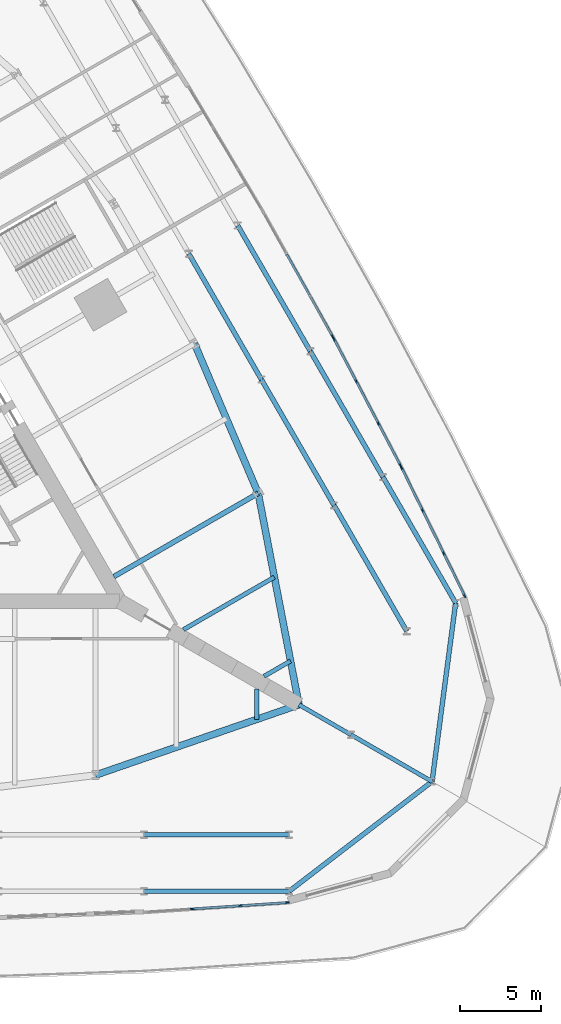
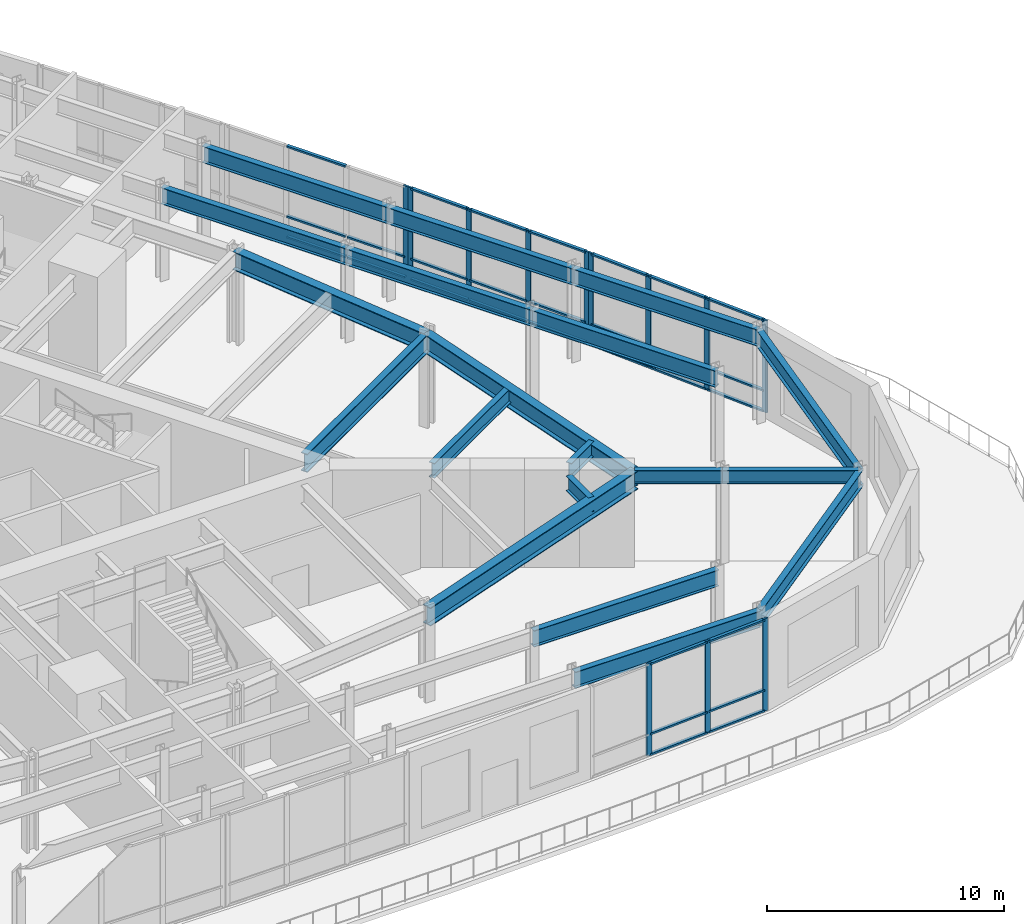
# One storey, part 7 of 20: 41 members, 19 beams, 4 elements without a shape of their own.
"""IFC4 building model written with IfcOpenShell, lengths in metres."""

from ifc_helpers import new_model, si_unit, direction, frame, origin, origin_2d, place, context, subcontext, project, spatial, rectangle, i_section, extrude, material, material_profile, profile_set, type_object, element, aggregate, save


model = new_model("IFC4")

# Units and contexts
model_context = context("Model", 3, precision=1e-05, world=origin(), true_north=direction((0.0, 1.0)))
body_context = subcontext(model_context, "Body", "Model", "MODEL_VIEW")
ifc_project = project(units=[si_unit("LENGTHUNIT", "METRE"), si_unit("AREAUNIT", "SQUARE_METRE"), si_unit("VOLUMEUNIT", "CUBIC_METRE"), si_unit("PLANEANGLEUNIT", "RADIAN"), si_unit("MASSUNIT", "GRAM", prefix="KILO")], contexts=[model_context])

# Site, building, storey
site_placement = place(None, origin())
site = spatial("IfcSite", under=ifc_project, at=site_placement, CompositionType="ELEMENT")
building_placement = place(site_placement, origin())
building = spatial("IfcBuilding", under=site, at=building_placement, Name="Trikona Tower", CompositionType="ELEMENT")
storey_placement = place(building_placement, frame((0.0, 0.0, 6.0)))
storey = spatial("IfcBuildingStorey", under=building, at=storey_placement, Name="L01", CompositionType="ELEMENT", Elevation=6.0)

# Curtain wall, members
ifc_material_1 = material(Name="Aluminium curtain wall system", Category="aluminium")
curtain_wall_type = type_object("IfcCurtainWallType", Name="Curtain wall PD", PredefinedType="NOTDEFINED", material=ifc_material_1)
curtain_wall_1_placement = place(storey_placement, origin())
curtain_wall_1 = element("IfcCurtainWall", 1, at=curtain_wall_1_placement, inside=storey, type_object=curtain_wall_type, Name="Curtain wall PD L01", PredefinedType="NOTDEFINED")
ifc_material_2 = material(Name="Aluminium mullion, pale anodised", Category="aluminium")
ifc_material_profile_1 = material_profile(ifc_material_2, rectangle(XDim=0.090087890625, YDim=0.25, at=origin_2d()), Name="MUL-PD")
ifc_profile_set_1 = profile_set([ifc_material_profile_1], Name="Aluminium mullion, pale anodised")
member_type_1 = type_object("IfcMemberType", Name="Mullion PD 90x250", PredefinedType="MULLION", material=ifc_profile_set_1)
member_1_placement = place(storey_placement, frame((21.01318359375, -28.589111328125, 0.0), z_axis=(0.0, 0.0, 1.0), x_axis=(-0.066516773278, 0.997785307004, 0.0)))
member_1 = element("IfcMember", 2, at=member_1_placement, type_object=member_type_1, Name="CW-PD mullion 2", PredefinedType="MULLION", context=body_context, shape_type="SweptSolid", body=[
    extrude(rectangle(XDim=0.090087890625, YDim=0.25, at=origin_2d()), origin(), (0.0, 0.0, 1.0), 4.75),
])
member_2_placement = place(storey_placement, frame((23.973388671875, -28.391845703125, 0.0), z_axis=(0.0, 0.0, 1.0), x_axis=(-0.066516773278, 0.997785307004, 0.0)))
member_2 = element("IfcMember", 3, at=member_2_placement, type_object=member_type_1, Name="CW-PD mullion 3", PredefinedType="MULLION", context=body_context, shape_type="SweptSolid", body=[
    extrude(rectangle(XDim=0.090087890625, YDim=0.25, at=origin_2d()), origin(), (0.0, 0.0, 1.0), 4.75),
])
member_3_placement = place(storey_placement, frame((26.888671875, -28.197509765625, 0.0), z_axis=(0.0, 0.0, 1.0), x_axis=(-0.066516773278, 0.997785307004, 0.0)))
member_3 = element("IfcMember", 4, at=member_3_placement, type_object=member_type_1, Name="CW-PD mullion 4", PredefinedType="MULLION", context=body_context, shape_type="SweptSolid", body=[
    extrude(rectangle(XDim=0.090087890625, YDim=0.25, at=origin_2d()), origin(), (0.0, 0.0, 1.0), 4.75),
])

curtain_wall_2_placement = place(storey_placement, origin())
curtain_wall_2 = element("IfcCurtainWall", 5, at=curtain_wall_2_placement, inside=storey, type_object=curtain_wall_type, Name="Curtain wall PD L01", PredefinedType="NOTDEFINED")
member_4_placement = place(storey_placement, frame((37.864013671875, -9.1875, 0.0), z_axis=(0.0, 0.0, 1.0), x_axis=(-0.897362731155, -0.44129369895, 0.0)))
member_4 = element("IfcMember", 6, at=member_4_placement, type_object=member_type_1, Name="CW-PD mullion 1", PredefinedType="MULLION", context=body_context, shape_type="SweptSolid", body=[
    extrude(rectangle(XDim=0.090087890625, YDim=0.25, at=origin_2d()), origin(), (0.0, 0.0, 1.0), 4.75),
])
member_5_placement = place(storey_placement, frame((36.57470703125, -6.565673828125, 0.0), z_axis=(0.0, 0.0, 1.0), x_axis=(-0.897362731155, -0.44129369895, 0.0)))
member_5 = element("IfcMember", 7, at=member_5_placement, type_object=member_type_1, Name="CW-PD mullion 2", PredefinedType="MULLION", context=body_context, shape_type="SweptSolid", body=[
    extrude(rectangle(XDim=0.090087890625, YDim=0.25, at=origin_2d()), origin(), (0.0, 0.0, 1.0), 4.75),
])
member_6_placement = place(storey_placement, frame((35.265380859375, -3.903564453125, 0.0), z_axis=(0.0, 0.0, 1.0), x_axis=(-0.897362731155, -0.44129369895, 0.0)))
member_6 = element("IfcMember", 8, at=member_6_placement, type_object=member_type_1, Name="CW-PD mullion 3", PredefinedType="MULLION", context=body_context, shape_type="SweptSolid", body=[
    extrude(rectangle(XDim=0.090087890625, YDim=0.25, at=origin_2d()), origin(), (0.0, 0.0, 1.0), 4.75),
])
member_7_placement = place(storey_placement, frame((33.97607421875, -1.28173828125, 0.0), z_axis=(0.0, 0.0, 1.0), x_axis=(-0.897362731155, -0.44129369895, 0.0)))
member_7 = element("IfcMember", 9, at=member_7_placement, type_object=member_type_1, Name="CW-PD mullion 4", PredefinedType="MULLION", context=body_context, shape_type="SweptSolid", body=[
    extrude(rectangle(XDim=0.090087890625, YDim=0.25, at=origin_2d()), origin(), (0.0, 0.0, 1.0), 4.75),
])

curtain_wall_3_placement = place(storey_placement, origin())
curtain_wall_3 = element("IfcCurtainWall", 10, at=curtain_wall_3_placement, inside=storey, type_object=curtain_wall_type, Name="Curtain wall PD L01", PredefinedType="NOTDEFINED")
member_8_placement = place(storey_placement, frame((33.88232421875, -1.096923828125, 0.0), z_axis=(0.0, 0.0, 1.0), x_axis=(-0.88532159647, -0.464979215476, 0.0)))
member_8 = element("IfcMember", 11, at=member_8_placement, type_object=member_type_1, Name="CW-PD mullion 1", PredefinedType="MULLION", context=body_context, shape_type="SweptSolid", body=[
    extrude(rectangle(XDim=0.090087890625, YDim=0.25, at=origin_2d()), origin(), (0.0, 0.0, 1.0), 4.75),
])
member_9_placement = place(storey_placement, frame((32.525634765625, 1.48583984375, 0.0), z_axis=(0.0, 0.0, 1.0), x_axis=(-0.88532159647, -0.464979215476, 0.0)))
member_9 = element("IfcMember", 12, at=member_9_placement, type_object=member_type_1, Name="CW-PD mullion 2", PredefinedType="MULLION", context=body_context, shape_type="SweptSolid", body=[
    extrude(rectangle(XDim=0.090087890625, YDim=0.25, at=origin_2d()), origin(), (0.0, 0.0, 1.0), 4.75),
])
member_10_placement = place(storey_placement, frame((31.148193359375, 4.108642578125, 0.0), z_axis=(0.0, 0.0, 1.0), x_axis=(-0.88532159647, -0.464979215476, 0.0)))
member_10 = element("IfcMember", 13, at=member_10_placement, type_object=member_type_1, Name="CW-PD mullion 3", PredefinedType="MULLION", context=body_context, shape_type="SweptSolid", body=[
    extrude(rectangle(XDim=0.090087890625, YDim=0.25, at=origin_2d()), origin(), (0.0, 0.0, 1.0), 4.75),
])
member_11_placement = place(storey_placement, frame((29.791748046875, 6.69140625, 0.0), z_axis=(0.0, 0.0, 1.0), x_axis=(-0.88532159647, -0.464979215476, 0.0)))
member_11 = element("IfcMember", 14, at=member_11_placement, type_object=member_type_1, Name="CW-PD mullion 4", PredefinedType="MULLION", context=body_context, shape_type="SweptSolid", body=[
    extrude(rectangle(XDim=0.090087890625, YDim=0.25, at=origin_2d()), origin(), (0.0, 0.0, 1.0), 4.75),
])

# Curtain wall, member
curtain_wall_4_placement = place(storey_placement, origin())
curtain_wall_4 = element("IfcCurtainWall", 15, at=curtain_wall_4_placement, inside=storey, type_object=curtain_wall_type, Name="Curtain wall PD L01", PredefinedType="NOTDEFINED")
member_12_placement = place(storey_placement, frame((29.69287109375, 6.873779296875, 0.0), z_axis=(0.0, 0.0, 1.0), x_axis=(-0.872612562908, -0.488413057825, 0.0)))
member_12 = element("IfcMember", 16, at=member_12_placement, type_object=member_type_1, Name="CW-PD mullion 1", PredefinedType="MULLION", context=body_context, shape_type="SweptSolid", body=[
    extrude(rectangle(XDim=0.090087890625, YDim=0.25, at=origin_2d()), origin(), (0.0, 0.0, 1.0), 4.75),
])

# Beams
ifc_material_3 = material(Name="Steel ASTM A992 Grade 50", Category="steel")
ifc_material_profile_2 = material_profile(ifc_material_3, i_section(OverallWidth=0.25390625, OverallDepth=0.683349609375, WebThickness=0.012451171875, FlangeThickness=0.01904296875, at=origin_2d()), Name="W27X94")
ifc_profile_set_2 = profile_set([ifc_material_profile_2], Name="Steel ASTM A992 Grade 50")
beam_type_1 = type_object("IfcBeamType", Name="Steel beam W27x94 (pod radial)", PredefinedType="BEAM", material=ifc_profile_set_2)
beam_1_placement = place(storey_placement, frame((30.83056640625, -17.800048828125, 4.408447265625), z_axis=(0.866032775405, -0.499987231761, 0.0), x_axis=(0.499987231761, 0.866032775405, 0.0)))
element("IfcBeam", 17, at=beam_1_placement, inside=storey, type_object=beam_type_1, Name="Podium beam L02 CB00", PredefinedType="BEAM", context=body_context, shape_type="SweptSolid", body=[
    extrude(i_section(OverallWidth=0.25390625, OverallDepth=0.683349609375, WebThickness=0.012451171875, FlangeThickness=0.01904296875, at=origin_2d()), origin(), (0.0, 0.0, 1.0), 5.800048828125),
])
beam_2_placement = place(storey_placement, frame((27.612060546875, -15.94189453125, 4.408447265625), z_axis=(0.866031337506, -0.499989722352, 0.0), x_axis=(0.499989722352, 0.866031337506, 0.0)))
element("IfcBeam", 18, at=beam_2_placement, inside=storey, type_object=beam_type_1, Name="Podium beam L02 RKK0D35.6", PredefinedType="BEAM", context=body_context, shape_type="SweptSolid", body=[
    extrude(i_section(OverallWidth=0.25390625, OverallDepth=0.683349609375, WebThickness=0.012451171875, FlangeThickness=0.01904296875, at=origin_2d()), origin(), (0.0, 0.0, 1.0), 3.71630859375),
])
ifc_material_4 = material(Name="Steel ASTM A992 Grade 50", Category="steel")
ifc_material_profile_3 = material_profile(ifc_material_4, i_section(OverallWidth=0.2666015625, OverallDepth=0.76953125, WebThickness=0.015625, FlangeThickness=0.025390625, at=origin_2d()), Name="W30X132")
ifc_profile_set_3 = profile_set([ifc_material_profile_3], Name="Steel ASTM A992 Grade 50")
beam_type_2 = type_object("IfcBeamType", Name="Steel beam W30x132 (wedge)", PredefinedType="BEAM", material=ifc_profile_set_3)
for number, where, z_axis, x_axis, name in (
    (19, (25.0, -14.953369140625, 4.365234375), (0.0, -1.0, 0.0), (1.0, 0.0, 0.0), "Floor beam L02 F1 u25"),
    (20, (25.449951171875, -14.173828125, 4.365234375), (0.866065156741, 0.499931139538, 0.0), (-0.499931139538, 0.866065156741, 0.0), "Floor beam L02 F2 u-25"),
):
    element("IfcBeam", number, at=place(storey_placement, frame(where, z_axis=z_axis, x_axis=x_axis)), inside=storey, type_object=beam_type_2, Name=name, PredefinedType="BEAM", context=body_context, shape_type="SweptSolid", body=[
        extrude(i_section(OverallWidth=0.2666015625, OverallDepth=0.76953125, WebThickness=0.015625, FlangeThickness=0.025390625, at=origin_2d()), origin(), (0.0, 0.0, 1.0), 1.890380859375),
    ])
beam_3_placement = place(storey_placement, frame((20.449951171875, -11.287109375, 4.365234375), z_axis=(0.866022504693, 0.50000502134, 0.0), x_axis=(-0.50000502134, 0.866022504693, 0.0)))
element("IfcBeam", 21, at=beam_3_placement, inside=storey, type_object=beam_type_2, Name="Floor beam L02 F2 u-20", PredefinedType="BEAM", context=body_context, shape_type="SweptSolid", body=[
    extrude(i_section(OverallWidth=0.2666015625, OverallDepth=0.76953125, WebThickness=0.015625, FlangeThickness=0.025390625, at=origin_2d()), origin(), (0.0, 0.0, 1.0), 6.5068359375),
])
ifc_material_5 = material(Name="Steel ASTM A992 Grade 50", Category="steel")
ifc_material_profile_4 = material_profile(ifc_material_5, i_section(OverallWidth=0.2919921875, OverallDepth=0.845703125, WebThickness=0.015380859375, FlangeThickness=0.0244140625, at=origin_2d()), Name="W33X141")
ifc_profile_set_4 = profile_set([ifc_material_profile_4], Name="Steel ASTM A992 Grade 50")
beam_type_3 = type_object("IfcBeamType", Name="Steel beam W33x141 (pod girder)", PredefinedType="BEAM", material=ifc_profile_set_4)
for number, where, z_axis, x_axis, name in (
    (22, (18.0, -24.0, 4.3271484375), (1.0, 0.0, 0.0), (0.0, 1.0, 0.0), "Podium beam L02 GR24F0p18-R24F0p27"),
    (23, (18.0, -27.5, 4.3271484375), (1.0, 0.0, 0.0), (0.0, 1.0, 0.0), "Podium beam L02 GR27.5F0p18-R27.5F0p27"),
):
    element("IfcBeam", number, at=place(storey_placement, frame(where, z_axis=z_axis, x_axis=x_axis)), inside=storey, type_object=beam_type_3, Name=name, PredefinedType="BEAM", context=body_context, shape_type="SweptSolid", body=[
        extrude(i_section(OverallWidth=0.2919921875, OverallDepth=0.845703125, WebThickness=0.015380859375, FlangeThickness=0.0244140625, at=origin_2d()), origin(), (0.0, 0.0, 1.0), 9.0),
    ])
beam_4_placement = place(storey_placement, frame((34.28466796875, -11.3828125, 4.3271484375), z_axis=(-0.499990139034, 0.866031096941, 0.0), x_axis=(-0.866031096941, -0.499990139034, 0.0)))
element("IfcBeam", 24, at=beam_4_placement, inside=storey, type_object=beam_type_3, Name="Podium beam L02 GR24F1m27-R24F1m18", PredefinedType="BEAM", context=body_context, shape_type="SweptSolid", body=[
    extrude(i_section(OverallWidth=0.2919921875, OverallDepth=0.845703125, WebThickness=0.015380859375, FlangeThickness=0.0244140625, at=origin_2d()), origin(), (0.0, 0.0, 1.0), 9.000244140625),
])
for number, where, z_axis, x_axis, name in (
    (25, (29.78466796875, -3.58837890625, 4.3271484375), (-0.5000018851, 0.866024315419, 0.0), (-0.866024315419, -0.5000018851, 0.0), "Podium beam L02 GR24F1m18-R24F1m9"),
    (26, (25.28466796875, 4.205810546875, 4.3271484375), (-0.5000018851, 0.866024315419, 0.0), (-0.866024315419, -0.5000018851, 0.0), "Podium beam L02 GR24F1m9-R24F1p0"),
):
    element("IfcBeam", number, at=place(storey_placement, frame(where, z_axis=z_axis, x_axis=x_axis)), inside=storey, type_object=beam_type_3, Name=name, PredefinedType="BEAM", context=body_context, shape_type="SweptSolid", body=[
        extrude(i_section(OverallWidth=0.2919921875, OverallDepth=0.845703125, WebThickness=0.015380859375, FlangeThickness=0.0244140625, at=origin_2d()), origin(), (0.0, 0.0, 1.0), 9.0),
    ])
beam_5_placement = place(storey_placement, frame((37.315673828125, -9.6328125, 4.3271484375), z_axis=(-0.499990139034, 0.866031096941, 0.0), x_axis=(-0.866031096941, -0.499990139034, 0.0)))
element("IfcBeam", 27, at=beam_5_placement, inside=storey, type_object=beam_type_3, Name="Podium beam L02 GR27.5F1m27-R27.5F1m18", PredefinedType="BEAM", context=body_context, shape_type="SweptSolid", body=[
    extrude(i_section(OverallWidth=0.2919921875, OverallDepth=0.845703125, WebThickness=0.015380859375, FlangeThickness=0.0244140625, at=origin_2d()), origin(), (0.0, 0.0, 1.0), 9.000244140625),
])
for number, where, z_axis, x_axis, name in (
    (28, (32.815673828125, -1.83837890625, 4.3271484375), (-0.5000018851, 0.866024315419, 0.0), (-0.866024315419, -0.5000018851, 0.0), "Podium beam L02 GR27.5F1m18-R27.5F1m9"),
    (29, (28.315673828125, 5.955810546875, 4.3271484375), (-0.5000018851, 0.866024315419, 0.0), (-0.866024315419, -0.5000018851, 0.0), "Podium beam L02 GR27.5F1m9-R27.5F1p0"),
):
    element("IfcBeam", number, at=place(storey_placement, frame(where, z_axis=z_axis, x_axis=x_axis)), inside=storey, type_object=beam_type_3, Name=name, PredefinedType="BEAM", context=body_context, shape_type="SweptSolid", body=[
        extrude(i_section(OverallWidth=0.2919921875, OverallDepth=0.845703125, WebThickness=0.015380859375, FlangeThickness=0.0244140625, at=origin_2d()), origin(), (0.0, 0.0, 1.0), 9.0),
    ])
beam_6_placement = place(storey_placement, frame((35.853515625, -20.699951171875, 4.3271484375), z_axis=(-0.793071731927, -0.60912825252, 0.0), x_axis=(0.60912825252, -0.793071731927, 0.0)))
element("IfcBeam", 30, at=beam_6_placement, inside=storey, type_object=beam_type_3, Name="Podium beam L02 CK0D41.4-R27.5F0p27", PredefinedType="BEAM", context=body_context, shape_type="SweptSolid", body=[
    extrude(i_section(OverallWidth=0.2919921875, OverallDepth=0.845703125, WebThickness=0.015380859375, FlangeThickness=0.0244140625, at=origin_2d()), origin(), (0.0, 0.0, 1.0), 11.16357421875),
])
beam_7_placement = place(storey_placement, frame((35.853515625, -20.699951171875, 4.3271484375), z_axis=(0.130978925672, 0.991385152718, 0.0), x_axis=(-0.991385152718, 0.130978925672, 0.0)))
element("IfcBeam", 31, at=beam_7_placement, inside=storey, type_object=beam_type_3, Name="Podium beam L02 CK0D41.4-R27.5F1m27", PredefinedType="BEAM", context=body_context, shape_type="SweptSolid", body=[
    extrude(i_section(OverallWidth=0.2919921875, OverallDepth=0.845703125, WebThickness=0.015380859375, FlangeThickness=0.0244140625, at=origin_2d()), origin(), (0.0, 0.0, 1.0), 11.163330078125),
])
ifc_material_6 = material(Name="Steel ASTM A992 Grade 50", Category="steel")
ifc_material_profile_5 = material_profile(ifc_material_6, i_section(OverallWidth=0.307373046875, OverallDepth=0.9423828125, WebThickness=0.022216796875, FlangeThickness=0.039794921875, at=origin_2d()), Name="W36X232")
ifc_profile_set_5 = profile_set([ifc_material_profile_5], Name="Steel ASTM A992 Grade 50")
beam_type_4 = type_object("IfcBeamType", Name="Steel beam W36x232 (radial low)", PredefinedType="BEAM", material=ifc_profile_set_5)
beam_8_placement = place(storey_placement, frame((16.1396484375, -8.002197265625, 4.27880859375), z_axis=(0.866030471684, 0.499991222037, 0.0), x_axis=(-0.499991222037, 0.866030471684, 0.0)))
element("IfcBeam", 32, at=beam_8_placement, inside=storey, type_object=beam_type_4, Name="Floor beam L02 F2 u-15", PredefinedType="BEAM", context=body_context, shape_type="SweptSolid", body=[
    extrude(i_section(OverallWidth=0.307373046875, OverallDepth=0.9423828125, WebThickness=0.022216796875, FlangeThickness=0.039794921875, at=origin_2d()), origin(), (0.0, 0.0, 1.0), 10.326904296875),
])
ifc_material_7 = material(Name="Steel ASTM A992 Grade 50", Category="steel")
ifc_material_profile_6 = material_profile(ifc_material_7, i_section(OverallWidth=0.424072265625, OverallDepth=0.947509765625, WebThickness=0.02392578125, FlangeThickness=0.042724609375, at=origin_2d()), Name="W36X302")
ifc_profile_set_6 = profile_set([ifc_material_profile_6], Name="Steel ASTM A992 Grade 50")
beam_type_5 = type_object("IfcBeamType", Name="Steel beam W36x302 (pod tower spandrel)", PredefinedType="BEAM", material=ifc_profile_set_6)
for number, where, z_axis, x_axis, name in (
    (33, (15.0, -20.302978515625, 4.2763671875), (0.945056965739, 0.326905692071, 0.0), (-0.326905692071, 0.945056965739, 0.0), "Spandrel beam L02 F1-5"),
    (34, (27.6103515625, -15.94091796875, 4.2763671875), (-0.189405184036, 0.981899015307, 0.0), (-0.981899015307, -0.189405184036, 0.0), "Spandrel beam L02 F2-1"),
):
    element("IfcBeam", number, at=place(storey_placement, frame(where, z_axis=z_axis, x_axis=x_axis)), inside=storey, type_object=beam_type_5, Name=name, PredefinedType="BEAM", context=body_context, shape_type="SweptSolid", body=[
        extrude(i_section(OverallWidth=0.424072265625, OverallDepth=0.947509765625, WebThickness=0.02392578125, FlangeThickness=0.042724609375, at=origin_2d()), origin(), (0.0, 0.0, 1.0), 13.343505859375),
    ])
beam_9_placement = place(storey_placement, frame((25.0830078125, -2.8388671875, 4.2763671875), z_axis=(-0.391683514847, 0.920100007715, 0.0), x_axis=(-0.920100007715, -0.391683514847, 0.0)))
element("IfcBeam", 35, at=beam_9_placement, inside=storey, type_object=beam_type_5, Name="Spandrel beam L02 F2-2", PredefinedType="BEAM", context=body_context, shape_type="SweptSolid", body=[
    extrude(i_section(OverallWidth=0.424072265625, OverallDepth=0.947509765625, WebThickness=0.02392578125, FlangeThickness=0.042724609375, at=origin_2d()), origin(), (0.0, 0.0, 1.0), 10.073974609375),
])

# Member
ifc_material_8 = material(Name="Aluminium transom, pale anodised", Category="aluminium")
ifc_material_profile_7 = material_profile(ifc_material_8, rectangle(XDim=0.14990234375, YDim=0.090087890625, at=origin_2d()), Name="TRN-PD")
ifc_profile_set_7 = profile_set([ifc_material_profile_7], Name="Aluminium transom, pale anodised")
member_type_2 = type_object("IfcMemberType", Name="Transom PD 90x150", PredefinedType="USERDEFINED", material=ifc_profile_set_7)
member_13_placement = place(storey_placement, frame((21.05810546875, -28.586181640625, 0.044921875), z_axis=(0.997784031157, 0.066535908857, 0.0), x_axis=(-0.066535908857, 0.997784031157, 0.0)))
member_13 = element("IfcMember", 36, at=member_13_placement, type_object=member_type_2, Name="CW-PD transom 2.1", ObjectType="TRANSOM", PredefinedType="USERDEFINED", context=body_context, shape_type="SweptSolid", body=[
    extrude(rectangle(XDim=0.14990234375, YDim=0.090087890625, at=origin_2d()), origin(), (0.0, 0.0, 1.0), 2.876708984375),
])

member_14_placement = place(storey_placement, frame((21.05810546875, -28.586181640625, 1.10009765625), z_axis=(0.997784031157, 0.066535908857, 0.0), x_axis=(-0.066535908857, 0.997784031157, 0.0)))
member_14 = element("IfcMember", 37, at=member_14_placement, type_object=member_type_2, Name="CW-PD transom 2.2", ObjectType="TRANSOM", PredefinedType="USERDEFINED", context=body_context, shape_type="SweptSolid", body=[
    extrude(rectangle(XDim=0.14990234375, YDim=0.090087890625, at=origin_2d()), origin(), (0.0, 0.0, 1.0), 2.876708984375),
])

member_15_placement = place(storey_placement, frame((21.05810546875, -28.586181640625, 4.705078125), z_axis=(0.997784031157, 0.066535908857, 0.0), x_axis=(-0.066535908857, 0.997784031157, 0.0)))
member_15 = element("IfcMember", 38, at=member_15_placement, type_object=member_type_2, Name="CW-PD transom 2.3", ObjectType="TRANSOM", PredefinedType="USERDEFINED", context=body_context, shape_type="SweptSolid", body=[
    extrude(rectangle(XDim=0.14990234375, YDim=0.090087890625, at=origin_2d()), origin(), (0.0, 0.0, 1.0), 2.876708984375),
])

member_16_placement = place(storey_placement, frame((24.018310546875, -28.388671875, 0.044921875), z_axis=(0.997788208732, 0.066473231568, 0.0), x_axis=(-0.066473231568, 0.997788208732, 0.0)))
member_16 = element("IfcMember", 39, at=member_16_placement, type_object=member_type_2, Name="CW-PD transom 3.1", ObjectType="TRANSOM", PredefinedType="USERDEFINED", context=body_context, shape_type="SweptSolid", body=[
    extrude(rectangle(XDim=0.14990234375, YDim=0.090087890625, at=origin_2d()), origin(), (0.0, 0.0, 1.0), 2.831787109375),
])

member_17_placement = place(storey_placement, frame((24.018310546875, -28.388671875, 1.10009765625), z_axis=(0.997788208732, 0.066473231568, 0.0), x_axis=(-0.066473231568, 0.997788208732, 0.0)))
member_17 = element("IfcMember", 40, at=member_17_placement, type_object=member_type_2, Name="CW-PD transom 3.2", ObjectType="TRANSOM", PredefinedType="USERDEFINED", context=body_context, shape_type="SweptSolid", body=[
    extrude(rectangle(XDim=0.14990234375, YDim=0.090087890625, at=origin_2d()), origin(), (0.0, 0.0, 1.0), 2.831787109375),
])

member_18_placement = place(storey_placement, frame((24.018310546875, -28.388671875, 4.705078125), z_axis=(0.997788208732, 0.066473231568, 0.0), x_axis=(-0.066473231568, 0.997788208732, 0.0)))
member_18 = element("IfcMember", 41, at=member_18_placement, type_object=member_type_2, Name="CW-PD transom 3.3", ObjectType="TRANSOM", PredefinedType="USERDEFINED", context=body_context, shape_type="SweptSolid", body=[
    extrude(rectangle(XDim=0.14990234375, YDim=0.090087890625, at=origin_2d()), origin(), (0.0, 0.0, 1.0), 2.831787109375),
])

aggregate(curtain_wall_1, [member_1, member_2, member_3, member_13, member_14, member_15, member_16, member_17, member_18])

member_19_placement = place(storey_placement, frame((37.843994140625, -9.147216796875, 0.044921875), z_axis=(-0.441271852509, 0.897373474192, 0.0), x_axis=(-0.897373474192, -0.441271852509, 0.0)))
member_19 = element("IfcMember", 42, at=member_19_placement, type_object=member_type_2, Name="CW-PD transom 1.1", ObjectType="TRANSOM", PredefinedType="USERDEFINED", context=body_context, shape_type="SweptSolid", body=[
    extrude(rectangle(XDim=0.14990234375, YDim=0.090087890625, at=origin_2d()), origin(), (0.0, 0.0, 1.0), 2.83154296875),
])

member_20_placement = place(storey_placement, frame((37.843994140625, -9.147216796875, 1.10009765625), z_axis=(-0.441271852509, 0.897373474192, 0.0), x_axis=(-0.897373474192, -0.441271852509, 0.0)))
member_20 = element("IfcMember", 43, at=member_20_placement, type_object=member_type_2, Name="CW-PD transom 1.2", ObjectType="TRANSOM", PredefinedType="USERDEFINED", context=body_context, shape_type="SweptSolid", body=[
    extrude(rectangle(XDim=0.14990234375, YDim=0.090087890625, at=origin_2d()), origin(), (0.0, 0.0, 1.0), 2.83154296875),
])

member_21_placement = place(storey_placement, frame((37.843994140625, -9.147216796875, 4.705078125), z_axis=(-0.441271852509, 0.897373474192, 0.0), x_axis=(-0.897373474192, -0.441271852509, 0.0)))
member_21 = element("IfcMember", 44, at=member_21_placement, type_object=member_type_2, Name="CW-PD transom 1.3", ObjectType="TRANSOM", PredefinedType="USERDEFINED", context=body_context, shape_type="SweptSolid", body=[
    extrude(rectangle(XDim=0.14990234375, YDim=0.090087890625, at=origin_2d()), origin(), (0.0, 0.0, 1.0), 2.83154296875),
])

member_22_placement = place(storey_placement, frame((36.5546875, -6.525390625, 0.044921875), z_axis=(-0.441228908145, 0.897394590254, 0.0), x_axis=(-0.897394590254, -0.441228908145, 0.0)))
member_22 = element("IfcMember", 45, at=member_22_placement, type_object=member_type_2, Name="CW-PD transom 2.1", ObjectType="TRANSOM", PredefinedType="USERDEFINED", context=body_context, shape_type="SweptSolid", body=[
    extrude(rectangle(XDim=0.14990234375, YDim=0.090087890625, at=origin_2d()), origin(), (0.0, 0.0, 1.0), 2.876708984375),
])

member_23_placement = place(storey_placement, frame((36.5546875, -6.525390625, 1.10009765625), z_axis=(-0.441228908145, 0.897394590254, 0.0), x_axis=(-0.897394590254, -0.441228908145, 0.0)))
member_23 = element("IfcMember", 46, at=member_23_placement, type_object=member_type_2, Name="CW-PD transom 2.2", ObjectType="TRANSOM", PredefinedType="USERDEFINED", context=body_context, shape_type="SweptSolid", body=[
    extrude(rectangle(XDim=0.14990234375, YDim=0.090087890625, at=origin_2d()), origin(), (0.0, 0.0, 1.0), 2.876708984375),
])

member_24_placement = place(storey_placement, frame((36.5546875, -6.525390625, 4.705078125), z_axis=(-0.441228908145, 0.897394590254, 0.0), x_axis=(-0.897394590254, -0.441228908145, 0.0)))
member_24 = element("IfcMember", 47, at=member_24_placement, type_object=member_type_2, Name="CW-PD transom 2.3", ObjectType="TRANSOM", PredefinedType="USERDEFINED", context=body_context, shape_type="SweptSolid", body=[
    extrude(rectangle(XDim=0.14990234375, YDim=0.090087890625, at=origin_2d()), origin(), (0.0, 0.0, 1.0), 2.876708984375),
])

member_25_placement = place(storey_placement, frame((35.24560546875, -3.86328125, 0.044921875), z_axis=(-0.441271852509, 0.897373474192, 0.0), x_axis=(-0.897373474192, -0.441271852509, 0.0)))
member_25 = element("IfcMember", 48, at=member_25_placement, type_object=member_type_2, Name="CW-PD transom 3.1", ObjectType="TRANSOM", PredefinedType="USERDEFINED", context=body_context, shape_type="SweptSolid", body=[
    extrude(rectangle(XDim=0.14990234375, YDim=0.090087890625, at=origin_2d()), origin(), (0.0, 0.0, 1.0), 2.83154296875),
])

member_26_placement = place(storey_placement, frame((35.24560546875, -3.86328125, 1.10009765625), z_axis=(-0.441271852509, 0.897373474192, 0.0), x_axis=(-0.897373474192, -0.441271852509, 0.0)))
member_26 = element("IfcMember", 49, at=member_26_placement, type_object=member_type_2, Name="CW-PD transom 3.2", ObjectType="TRANSOM", PredefinedType="USERDEFINED", context=body_context, shape_type="SweptSolid", body=[
    extrude(rectangle(XDim=0.14990234375, YDim=0.090087890625, at=origin_2d()), origin(), (0.0, 0.0, 1.0), 2.83154296875),
])

member_27_placement = place(storey_placement, frame((35.24560546875, -3.86328125, 4.705078125), z_axis=(-0.441271852509, 0.897373474192, 0.0), x_axis=(-0.897373474192, -0.441271852509, 0.0)))
member_27 = element("IfcMember", 50, at=member_27_placement, type_object=member_type_2, Name="CW-PD transom 3.3", ObjectType="TRANSOM", PredefinedType="USERDEFINED", context=body_context, shape_type="SweptSolid", body=[
    extrude(rectangle(XDim=0.14990234375, YDim=0.090087890625, at=origin_2d()), origin(), (0.0, 0.0, 1.0), 2.83154296875),
])

aggregate(curtain_wall_2, [member_4, member_5, member_6, member_7, member_19, member_20, member_21, member_22, member_23, member_24, member_25, member_26, member_27])

member_28_placement = place(storey_placement, frame((33.861328125, -1.05712890625, 0.044921875), z_axis=(-0.464981119017, 0.885320596709, 0.0), x_axis=(-0.885320596709, -0.464981119017, 0.0)))
member_28 = element("IfcMember", 51, at=member_28_placement, type_object=member_type_2, Name="CW-PD transom 1.1", ObjectType="TRANSOM", PredefinedType="USERDEFINED", context=body_context, shape_type="SweptSolid", body=[
    extrude(rectangle(XDim=0.14990234375, YDim=0.090087890625, at=origin_2d()), origin(), (0.0, 0.0, 1.0), 2.827392578125),
])

member_29_placement = place(storey_placement, frame((33.861328125, -1.05712890625, 1.10009765625), z_axis=(-0.464981119017, 0.885320596709, 0.0), x_axis=(-0.885320596709, -0.464981119017, 0.0)))
member_29 = element("IfcMember", 52, at=member_29_placement, type_object=member_type_2, Name="CW-PD transom 1.2", ObjectType="TRANSOM", PredefinedType="USERDEFINED", context=body_context, shape_type="SweptSolid", body=[
    extrude(rectangle(XDim=0.14990234375, YDim=0.090087890625, at=origin_2d()), origin(), (0.0, 0.0, 1.0), 2.827392578125),
])

member_30_placement = place(storey_placement, frame((33.861328125, -1.05712890625, 4.705078125), z_axis=(-0.464981119017, 0.885320596709, 0.0), x_axis=(-0.885320596709, -0.464981119017, 0.0)))
member_30 = element("IfcMember", 53, at=member_30_placement, type_object=member_type_2, Name="CW-PD transom 1.3", ObjectType="TRANSOM", PredefinedType="USERDEFINED", context=body_context, shape_type="SweptSolid", body=[
    extrude(rectangle(XDim=0.14990234375, YDim=0.090087890625, at=origin_2d()), origin(), (0.0, 0.0, 1.0), 2.827392578125),
])

member_31_placement = place(storey_placement, frame((32.5048828125, 1.525634765625, 0.044921875), z_axis=(-0.46497214019, 0.88532531244, 0.0), x_axis=(-0.88532531244, -0.46497214019, 0.0)))
member_31 = element("IfcMember", 54, at=member_31_placement, type_object=member_type_2, Name="CW-PD transom 2.1", ObjectType="TRANSOM", PredefinedType="USERDEFINED", context=body_context, shape_type="SweptSolid", body=[
    extrude(rectangle(XDim=0.14990234375, YDim=0.090087890625, at=origin_2d()), origin(), (0.0, 0.0, 1.0), 2.87255859375),
])

member_32_placement = place(storey_placement, frame((32.5048828125, 1.525634765625, 1.10009765625), z_axis=(-0.46497214019, 0.88532531244, 0.0), x_axis=(-0.88532531244, -0.46497214019, 0.0)))
member_32 = element("IfcMember", 55, at=member_32_placement, type_object=member_type_2, Name="CW-PD transom 2.2", ObjectType="TRANSOM", PredefinedType="USERDEFINED", context=body_context, shape_type="SweptSolid", body=[
    extrude(rectangle(XDim=0.14990234375, YDim=0.090087890625, at=origin_2d()), origin(), (0.0, 0.0, 1.0), 2.87255859375),
])

member_33_placement = place(storey_placement, frame((32.5048828125, 1.525634765625, 4.705078125), z_axis=(-0.46497214019, 0.88532531244, 0.0), x_axis=(-0.88532531244, -0.46497214019, 0.0)))
member_33 = element("IfcMember", 56, at=member_33_placement, type_object=member_type_2, Name="CW-PD transom 2.3", ObjectType="TRANSOM", PredefinedType="USERDEFINED", context=body_context, shape_type="SweptSolid", body=[
    extrude(rectangle(XDim=0.14990234375, YDim=0.090087890625, at=origin_2d()), origin(), (0.0, 0.0, 1.0), 2.87255859375),
])

member_34_placement = place(storey_placement, frame((31.12744140625, 4.1484375, 0.044921875), z_axis=(-0.464981119017, 0.885320596709, 0.0), x_axis=(-0.885320596709, -0.464981119017, 0.0)))
member_34 = element("IfcMember", 57, at=member_34_placement, type_object=member_type_2, Name="CW-PD transom 3.1", ObjectType="TRANSOM", PredefinedType="USERDEFINED", context=body_context, shape_type="SweptSolid", body=[
    extrude(rectangle(XDim=0.14990234375, YDim=0.090087890625, at=origin_2d()), origin(), (0.0, 0.0, 1.0), 2.827392578125),
])

member_35_placement = place(storey_placement, frame((31.12744140625, 4.1484375, 1.10009765625), z_axis=(-0.464981119017, 0.885320596709, 0.0), x_axis=(-0.885320596709, -0.464981119017, 0.0)))
member_35 = element("IfcMember", 58, at=member_35_placement, type_object=member_type_2, Name="CW-PD transom 3.2", ObjectType="TRANSOM", PredefinedType="USERDEFINED", context=body_context, shape_type="SweptSolid", body=[
    extrude(rectangle(XDim=0.14990234375, YDim=0.090087890625, at=origin_2d()), origin(), (0.0, 0.0, 1.0), 2.827392578125),
])

member_36_placement = place(storey_placement, frame((31.12744140625, 4.1484375, 4.705078125), z_axis=(-0.464981119017, 0.885320596709, 0.0), x_axis=(-0.885320596709, -0.464981119017, 0.0)))
member_36 = element("IfcMember", 59, at=member_36_placement, type_object=member_type_2, Name="CW-PD transom 3.3", ObjectType="TRANSOM", PredefinedType="USERDEFINED", context=body_context, shape_type="SweptSolid", body=[
    extrude(rectangle(XDim=0.14990234375, YDim=0.090087890625, at=origin_2d()), origin(), (0.0, 0.0, 1.0), 2.827392578125),
])

aggregate(curtain_wall_3, [member_8, member_9, member_10, member_11, member_28, member_29, member_30, member_31, member_32, member_33, member_34, member_35, member_36])

member_37_placement = place(storey_placement, frame((29.6708984375, 6.912841796875, 0.044921875), z_axis=(-0.48837707133, 0.872632704062, 0.0), x_axis=(-0.872632704062, -0.48837707133, 0.0)))
member_37 = element("IfcMember", 60, at=member_37_placement, type_object=member_type_2, Name="CW-PD transom 1.1", ObjectType="TRANSOM", PredefinedType="USERDEFINED", context=body_context, shape_type="SweptSolid", body=[
    extrude(rectangle(XDim=0.14990234375, YDim=0.090087890625, at=origin_2d()), origin(), (0.0, 0.0, 1.0), 2.825439453125),
])

member_38_placement = place(storey_placement, frame((29.6708984375, 6.912841796875, 1.10009765625), z_axis=(-0.48837707133, 0.872632704062, 0.0), x_axis=(-0.872632704062, -0.48837707133, 0.0)))
member_38 = element("IfcMember", 61, at=member_38_placement, type_object=member_type_2, Name="CW-PD transom 1.2", ObjectType="TRANSOM", PredefinedType="USERDEFINED", context=body_context, shape_type="SweptSolid", body=[
    extrude(rectangle(XDim=0.14990234375, YDim=0.090087890625, at=origin_2d()), origin(), (0.0, 0.0, 1.0), 2.825439453125),
])

member_39_placement = place(storey_placement, frame((28.2470703125, 9.456787109375, 0.044921875), z_axis=(-0.488406509543, 0.872616228039, 0.0), x_axis=(-0.872616228039, -0.488406509543, 0.0)))
member_39 = element("IfcMember", 62, at=member_39_placement, type_object=member_type_2, Name="CW-PD transom 2.1", ObjectType="TRANSOM", PredefinedType="USERDEFINED", context=body_context, shape_type="SweptSolid", body=[
    extrude(rectangle(XDim=0.14990234375, YDim=0.090087890625, at=origin_2d()), origin(), (0.0, 0.0, 1.0), 2.870361328125),
])

member_40_placement = place(storey_placement, frame((28.2470703125, 9.456787109375, 1.10009765625), z_axis=(-0.488406509543, 0.872616228039, 0.0), x_axis=(-0.872616228039, -0.488406509543, 0.0)))
member_40 = element("IfcMember", 63, at=member_40_placement, type_object=member_type_2, Name="CW-PD transom 2.2", ObjectType="TRANSOM", PredefinedType="USERDEFINED", context=body_context, shape_type="SweptSolid", body=[
    extrude(rectangle(XDim=0.14990234375, YDim=0.090087890625, at=origin_2d()), origin(), (0.0, 0.0, 1.0), 2.870361328125),
])

member_41_placement = place(storey_placement, frame((28.2470703125, 9.456787109375, 4.705078125), z_axis=(-0.488406509543, 0.872616228039, 0.0), x_axis=(-0.872616228039, -0.488406509543, 0.0)))
member_41 = element("IfcMember", 64, at=member_41_placement, type_object=member_type_2, Name="CW-PD transom 2.3", ObjectType="TRANSOM", PredefinedType="USERDEFINED", context=body_context, shape_type="SweptSolid", body=[
    extrude(rectangle(XDim=0.14990234375, YDim=0.090087890625, at=origin_2d()), origin(), (0.0, 0.0, 1.0), 2.870361328125),
])

aggregate(curtain_wall_4, [member_12, member_37, member_38, member_39, member_40, member_41])

save(model, "model.ifc")
